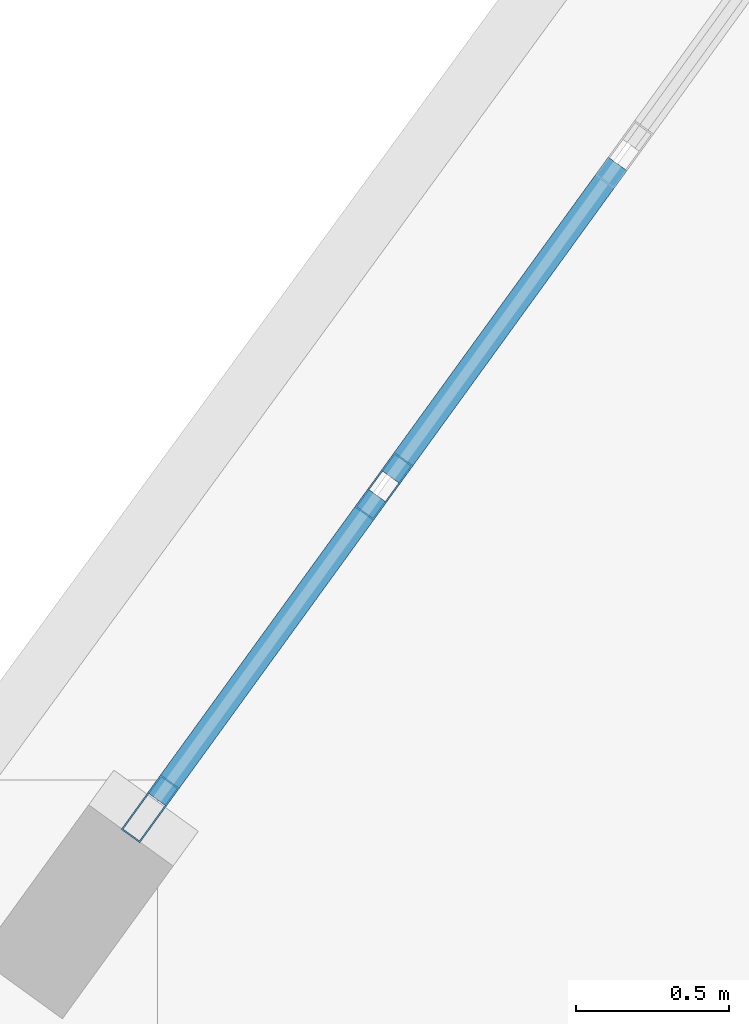
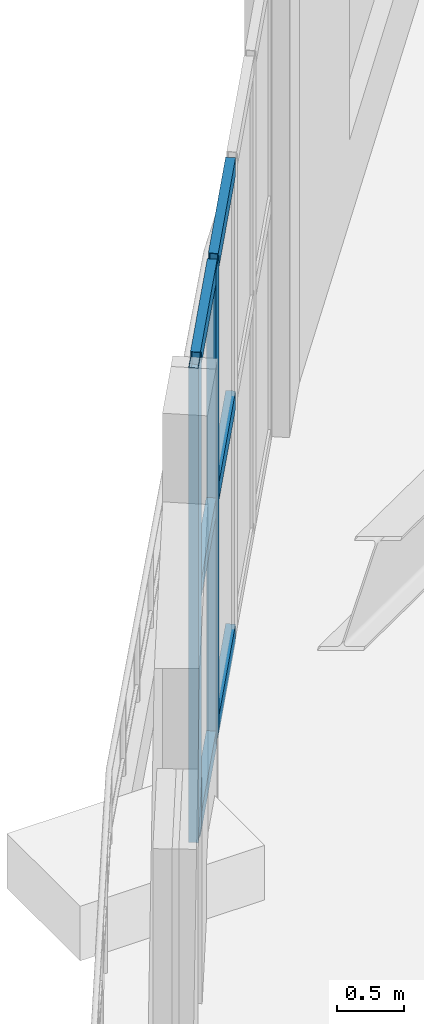
# One storey, part 6 of 19: 8 members, 1 element without a shape of its own.
"""IFC4 building model written with IfcOpenShell, lengths in metres."""

from ifc_helpers import new_model, si_unit, direction, frame, origin, origin_2d, place, context, subcontext, project, spatial, hollow_rectangle, extrude, material, layer, layer_set, material_profile, profile_set, type_object, element, aggregate, save


model = new_model("IFC4")

# Units and contexts
model_context = context("Model", 3, precision=1e-05, world=origin(), true_north=direction((0.0, 1.0)))
body_context = subcontext(model_context, "Body", "Model", "MODEL_VIEW")
ifc_project = project(units=[si_unit("LENGTHUNIT", "METRE"), si_unit("AREAUNIT", "SQUARE_METRE"), si_unit("VOLUMEUNIT", "CUBIC_METRE"), si_unit("PLANEANGLEUNIT", "RADIAN"), si_unit("MASSUNIT", "GRAM", prefix="KILO")], contexts=[model_context])

# Site, building, storey
site_placement = place(None, origin())
site = spatial("IfcSite", under=ifc_project, at=site_placement, CompositionType="ELEMENT")
building_placement = place(site_placement, origin())
building = spatial("IfcBuilding", under=site, at=building_placement, Name="Miruveldt Soraemaru", CompositionType="ELEMENT")
storey_placement = place(building_placement, frame((0.0, 0.0, 19.199951171875)))
storey = spatial("IfcBuildingStorey", under=building, at=storey_placement, Name="L05", CompositionType="ELEMENT", Elevation=19.199951171875)

# Curtain wall, members
ifc_material = material(Name="Anodised aluminium EN AW-6063 T6", Category="aluminium")
ifc_layer = layer(ifc_material, 0.219970703125, Name="Anodised aluminium EN AW-6063 T6", Category="aluminium")
ifc_layer_set = layer_set([ifc_layer], Name="Anodised aluminium EN AW-6063 T6")
curtain_wall_type = type_object("IfcCurtainWallType", Name="CW-SYS-2", PredefinedType="USERDEFINED", material=ifc_layer_set)
curtain_wall_placement = place(storey_placement, origin())
curtain_wall = element("IfcCurtainWall", 1, at=curtain_wall_placement, inside=storey, type_object=curtain_wall_type, Name="L05 Curtain Wall Bay 9", ObjectType="STOREFRONT", PredefinedType="USERDEFINED")
ifc_material_profile_1 = material_profile(ifc_material, hollow_rectangle(XDim=0.074951171875, YDim=0.219970703125, WallThickness=0.0048828125, at=origin_2d()), Name="Anodised aluminium EN AW-6063 T6", Category="aluminium")
ifc_profile_set_1 = profile_set([ifc_material_profile_1], Name="Anodised aluminium EN AW-6063 T6")
member_type_1 = type_object("IfcMemberType", Name="CWM-2", PredefinedType="MULLION", material=ifc_profile_set_1)
member_1_placement = place(storey_placement, frame((27.60546875, 61.236572265625, 0.0), z_axis=(0.0, 0.0, 1.0), x_axis=(0.809743142229, -0.586784495035, 0.0)))
member_1 = element("IfcMember", 2, at=member_1_placement, type_object=member_type_1, Name="CW-2 mullion 4", PredefinedType="MULLION", context=body_context, shape_type="SweptSolid", body=[
    extrude(hollow_rectangle(XDim=0.074951171875, YDim=0.219970703125, WallThickness=0.0048828125, at=origin_2d()), origin(), (0.0, 0.0, 1.0), 4.35009765625),
])
member_2_placement = place(storey_placement, frame((26.843505859375, 60.18505859375, 0.0), z_axis=(0.0, 0.0, 1.0), x_axis=(0.809743142229, -0.586784495035, 0.0)))
member_2 = element("IfcMember", 3, at=member_2_placement, type_object=member_type_1, Name="CW-2 mullion 5", PredefinedType="MULLION", context=body_context, shape_type="SweptSolid", body=[
    extrude(hollow_rectangle(XDim=0.074951171875, YDim=0.219970703125, WallThickness=0.0048828125, at=origin_2d()), origin(), (0.0, 0.0, 1.0), 4.35009765625),
])
ifc_material_profile_2 = material_profile(ifc_material, hollow_rectangle(XDim=0.074951171875, YDim=0.1650390625, WallThickness=0.00390625, at=origin_2d()), Name="Anodised aluminium EN AW-6063 T6", Category="aluminium")
ifc_profile_set_2 = profile_set([ifc_material_profile_2], Name="Anodised aluminium EN AW-6063 T6")
member_type_2 = type_object("IfcMemberType", Name="CWT-2", PredefinedType="USERDEFINED", material=ifc_profile_set_2)
member_3_placement = place(storey_placement, frame((28.367431640625, 62.2880859375, 0.03759765625), z_axis=(-0.586847001754, -0.809697842737, 0.0), x_axis=(0.809697842737, -0.586847001754, 0.0)))
member_3 = element("IfcMember", 4, at=member_3_placement, type_object=member_type_2, Name="CW-2 transom 3.1", ObjectType="TRANSOM", PredefinedType="USERDEFINED", context=body_context, shape_type="SweptSolid", body=[
    extrude(hollow_rectangle(XDim=0.074951171875, YDim=0.1650390625, WallThickness=0.00390625, at=origin_2d()), origin(), (0.0, 0.0, 1.0), 1.260986328125),
])
member_4_placement = place(storey_placement, frame((28.367431640625, 62.2880859375, 2.175048828125), z_axis=(-0.586847001754, -0.809697842737, 0.0), x_axis=(0.809697842737, -0.586847001754, 0.0)))
member_4 = element("IfcMember", 5, at=member_4_placement, type_object=member_type_2, Name="CW-2 transom 3.2", ObjectType="TRANSOM", PredefinedType="USERDEFINED", context=body_context, shape_type="SweptSolid", body=[
    extrude(hollow_rectangle(XDim=0.074951171875, YDim=0.1650390625, WallThickness=0.00390625, at=origin_2d()), origin(), (0.0, 0.0, 1.0), 1.260986328125),
])
member_5_placement = place(storey_placement, frame((28.367431640625, 62.2880859375, 4.3125), z_axis=(-0.586847001754, -0.809697842737, 0.0), x_axis=(0.809697842737, -0.586847001754, 0.0)))
member_5 = element("IfcMember", 6, at=member_5_placement, type_object=member_type_2, Name="CW-2 transom 3.3", ObjectType="TRANSOM", PredefinedType="USERDEFINED", context=body_context, shape_type="SweptSolid", body=[
    extrude(hollow_rectangle(XDim=0.074951171875, YDim=0.1650390625, WallThickness=0.00390625, at=origin_2d()), origin(), (0.0, 0.0, 1.0), 1.260986328125),
])
member_6_placement = place(storey_placement, frame((27.58349609375, 61.206298828125, 0.03759765625), z_axis=(-0.58683023506, -0.809709994516, 0.0), x_axis=(0.809709994516, -0.58683023506, 0.0)))
member_6 = element("IfcMember", 7, at=member_6_placement, type_object=member_type_2, Name="CW-2 transom 4.1", ObjectType="TRANSOM", PredefinedType="USERDEFINED", context=body_context, shape_type="SweptSolid", body=[
    extrude(hollow_rectangle(XDim=0.074951171875, YDim=0.1650390625, WallThickness=0.00390625, at=origin_2d()), origin(), (0.0, 0.0, 1.0), 1.2236328125),
])
member_7_placement = place(storey_placement, frame((27.58349609375, 61.206298828125, 2.175048828125), z_axis=(-0.58683023506, -0.809709994516, 0.0), x_axis=(0.809709994516, -0.58683023506, 0.0)))
member_7 = element("IfcMember", 8, at=member_7_placement, type_object=member_type_2, Name="CW-2 transom 4.2", ObjectType="TRANSOM", PredefinedType="USERDEFINED", context=body_context, shape_type="SweptSolid", body=[
    extrude(hollow_rectangle(XDim=0.074951171875, YDim=0.1650390625, WallThickness=0.00390625, at=origin_2d()), origin(), (0.0, 0.0, 1.0), 1.2236328125),
])
member_8_placement = place(storey_placement, frame((27.58349609375, 61.206298828125, 4.3125), z_axis=(-0.58683023506, -0.809709994516, 0.0), x_axis=(0.809709994516, -0.58683023506, 0.0)))
member_8 = element("IfcMember", 9, at=member_8_placement, type_object=member_type_2, Name="CW-2 transom 4.3", ObjectType="TRANSOM", PredefinedType="USERDEFINED", context=body_context, shape_type="SweptSolid", body=[
    extrude(hollow_rectangle(XDim=0.074951171875, YDim=0.1650390625, WallThickness=0.00390625, at=origin_2d()), origin(), (0.0, 0.0, 1.0), 1.2236328125),
])
aggregate(curtain_wall, [member_1, member_2, member_3, member_4, member_5, member_6, member_7, member_8])

save(model, "model.ifc")
